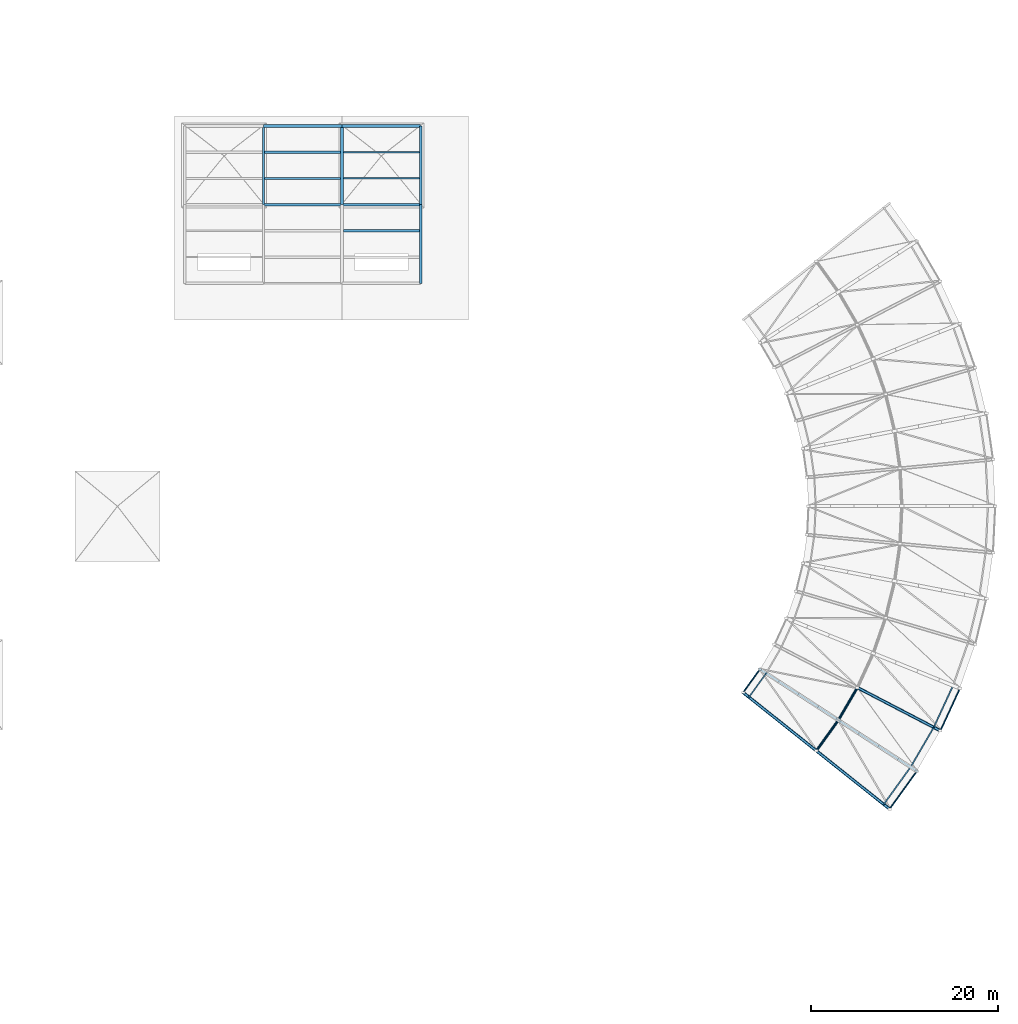
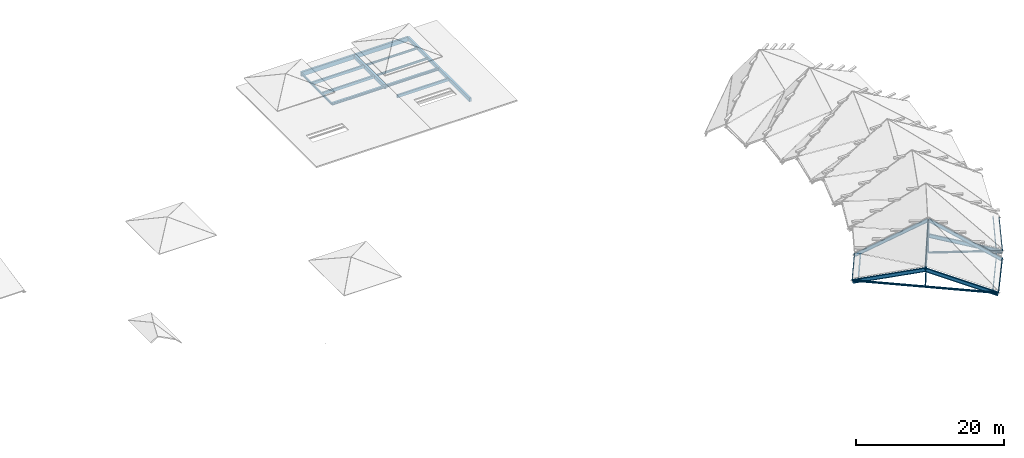
# One storey, part 2 of 10: 18 beams, 14 members.
"""IFC4 building model written with IfcOpenShell, lengths in metres."""

from ifc_helpers import new_model, si_unit, direction, frame, origin, origin_2d, place, context, subcontext, project, spatial, rectangle, hollow_circle, i_section, extrude, material, material_profile, profile_set, type_object, element, save


model = new_model("IFC4")

# Units and contexts
model_context = context("Model", 3, precision=1e-05, world=origin(), true_north=direction((0.0, 1.0)))
body_context = subcontext(model_context, "Body", "Model", "MODEL_VIEW")
ifc_project = project(units=[si_unit("LENGTHUNIT", "METRE"), si_unit("AREAUNIT", "SQUARE_METRE"), si_unit("VOLUMEUNIT", "CUBIC_METRE"), si_unit("PLANEANGLEUNIT", "RADIAN"), si_unit("MASSUNIT", "GRAM", prefix="KILO")], contexts=[model_context])

# Site, building, storey
site_placement = place(None, origin())
site = spatial("IfcSite", under=ifc_project, at=site_placement, CompositionType="ELEMENT")
building_placement = place(site_placement, origin())
building = spatial("IfcBuilding", under=site, at=building_placement, Name="Vanh Quang Courtyard School", CompositionType="ELEMENT")
storey_placement = place(building_placement, frame((0.0, 0.0, 25.800048828125)))
storey = spatial("IfcBuildingStorey", under=building, at=storey_placement, Name="ROOF", CompositionType="ELEMENT", Elevation=25.800048828125)

# Beams
ifc_material_1 = material(Name="Concrete C35/45", Category="concrete")
ifc_material_profile_1 = material_profile(ifc_material_1, rectangle(XDim=0.300048828125, YDim=0.60009765625, at=origin_2d()), Name="RC-BM 300x600")
ifc_profile_set_1 = profile_set([ifc_material_profile_1], Name="Concrete C35/45")
beam_type_1 = type_object("IfcBeamType", Name="BM-RC-300x600", PredefinedType="BEAM", material=ifc_profile_set_1)
beam_1_placement = place(storey_placement, frame((102.60009765625, 79.800048828125, -0.52001953125), z_axis=(0.0, 1.0, 0.0), x_axis=(-1.0, 0.0, 0.0)))
element("IfcBeam", 1, at=beam_1_placement, inside=storey, type_object=beam_type_1, Name="Beam B-06 (ROOF)", PredefinedType="BEAM", context=body_context, shape_type="SweptSolid", body=[
    extrude(rectangle(XDim=0.300048828125, YDim=0.60009765625, at=origin_2d()), origin(), (0.0, 0.0, 1.0), 8.39990234375),
])
beam_2_placement = place(storey_placement, frame((102.60009765625, 88.199951171875, -0.52001953125), z_axis=(0.0, 1.0, 0.0), x_axis=(-1.0, 0.0, 0.0)))
element("IfcBeam", 2, at=beam_2_placement, inside=storey, type_object=beam_type_1, Name="Beam B-06 (ROOF)", PredefinedType="BEAM", context=body_context, shape_type="SweptSolid", body=[
    extrude(rectangle(XDim=0.300048828125, YDim=0.60009765625, at=origin_2d()), origin(), (0.0, 0.0, 1.0), 8.400146484375),
])
ifc_material_profile_2 = material_profile(ifc_material_1, rectangle(XDim=0.35009765625, YDim=0.64990234375, at=origin_2d()), Name="RC-BM 350x650")
ifc_profile_set_2 = profile_set([ifc_material_profile_2], Name="Concrete C35/45")
beam_type_2 = type_object("IfcBeamType", Name="BM-RC-350x650", PredefinedType="BEAM", material=ifc_profile_set_2)
beam_3_placement = place(storey_placement, frame((94.199951171875, 88.199951171875, -0.545166015625), z_axis=(0.0, 1.0, 0.0), x_axis=(-1.0, 0.0, 0.0)))
element("IfcBeam", 3, at=beam_3_placement, inside=storey, type_object=beam_type_2, Name="Beam B-05 (ROOF)", PredefinedType="BEAM", context=body_context, shape_type="SweptSolid", body=[
    extrude(rectangle(XDim=0.35009765625, YDim=0.64990234375, at=origin_2d()), origin(), (0.0, 0.0, 1.0), 8.400146484375),
])
ifc_material_profile_3 = material_profile(ifc_material_1, rectangle(XDim=0.300048828125, YDim=0.699951171875, at=origin_2d()), Name="RC-SP 300x700")
ifc_profile_set_3 = profile_set([ifc_material_profile_3], Name="Concrete C35/45")
beam_type_3 = type_object("IfcBeamType", Name="BM-SP-300x700", PredefinedType="SPANDREL", material=ifc_profile_set_3)
beam_4_placement = place(storey_placement, frame((85.800048828125, 96.60009765625, -0.570068359375), z_axis=(1.0, 0.0, 0.0), x_axis=(0.0, 1.0, 0.0)))
element("IfcBeam", 4, at=beam_4_placement, inside=storey, type_object=beam_type_3, Name="Beam BS-01 (ROOF)", PredefinedType="SPANDREL", context=body_context, shape_type="SweptSolid", body=[
    extrude(rectangle(XDim=0.300048828125, YDim=0.699951171875, at=origin_2d()), origin(), (0.0, 0.0, 1.0), 8.39990234375),
])
beam_5_placement = place(storey_placement, frame((94.199951171875, 96.60009765625, -0.570068359375), z_axis=(1.0, 0.0, 0.0), x_axis=(0.0, 1.0, 0.0)))
element("IfcBeam", 5, at=beam_5_placement, inside=storey, type_object=beam_type_3, Name="Beam BS-01 (ROOF)", PredefinedType="SPANDREL", context=body_context, shape_type="SweptSolid", body=[
    extrude(rectangle(XDim=0.300048828125, YDim=0.699951171875, at=origin_2d()), origin(), (0.0, 0.0, 1.0), 8.400146484375),
])
ifc_material_2 = material(Name="Structural steel EN 10025-2 S355J2", Category="steel")
ifc_material_profile_4 = material_profile(ifc_material_2, i_section(OverallWidth=0.300048828125, OverallDepth=0.389892578125, WebThickness=0.010986328125, FlangeThickness=0.01904296875, FilletRadius=0.027099609375, at=origin_2d()), Name="HEA 400")
ifc_profile_set_4 = profile_set([ifc_material_profile_4], Name="Structural steel EN 10025-2 S355J2")
beam_type_4 = type_object("IfcBeamType", Name="BM-STL-HEA400", PredefinedType="BEAM", material=ifc_profile_set_4)
beam_6_placement = place(storey_placement, frame((85.800048828125, 88.199951171875, -0.4150390625), z_axis=(1.0, 0.0, 0.0), x_axis=(0.0, 1.0, 0.0)))
element("IfcBeam", 6, at=beam_6_placement, inside=storey, type_object=beam_type_4, Name="Beam SB-08 (ROOF)", PredefinedType="BEAM", context=body_context, shape_type="SweptSolid", body=[
    extrude(i_section(OverallWidth=0.300048828125, OverallDepth=0.389892578125, WebThickness=0.010986328125, FlangeThickness=0.01904296875, FilletRadius=0.027099609375, at=origin_2d()), origin(), (0.0, 0.0, 1.0), 8.39990234375),
])
beam_7_placement = place(storey_placement, frame((94.199951171875, 88.199951171875, -0.4150390625), z_axis=(1.0, 0.0, 0.0), x_axis=(0.0, 1.0, 0.0)))
element("IfcBeam", 7, at=beam_7_placement, inside=storey, type_object=beam_type_4, Name="Beam SB-08 (ROOF)", PredefinedType="BEAM", context=body_context, shape_type="SweptSolid", body=[
    extrude(i_section(OverallWidth=0.300048828125, OverallDepth=0.389892578125, WebThickness=0.010986328125, FlangeThickness=0.01904296875, FilletRadius=0.027099609375, at=origin_2d()), origin(), (0.0, 0.0, 1.0), 8.400146484375),
])
ifc_material_profile_5 = material_profile(ifc_material_2, i_section(OverallWidth=0.169921875, OverallDepth=0.360107421875, WebThickness=0.008056640625, FlangeThickness=0.0126953125, FilletRadius=0.01806640625, at=origin_2d()), Name="IPE 360")
ifc_profile_set_5 = profile_set([ifc_material_profile_5], Name="Structural steel EN 10025-2 S355J2")
beam_type_5 = type_object("IfcBeamType", Name="BM-STL-IPE360", PredefinedType="BEAM", material=ifc_profile_set_5)
beam_8_placement = place(storey_placement, frame((85.800048828125, 88.199951171875, -0.400146484375), z_axis=(0.0, 1.0, 0.0), x_axis=(-1.0, 0.0, 0.0)))
element("IfcBeam", 8, at=beam_8_placement, inside=storey, type_object=beam_type_5, Name="Beam SB-06 (ROOF)", PredefinedType="BEAM", context=body_context, shape_type="SweptSolid", body=[
    extrude(i_section(OverallWidth=0.169921875, OverallDepth=0.360107421875, WebThickness=0.008056640625, FlangeThickness=0.0126953125, FilletRadius=0.01806640625, at=origin_2d()), origin(), (0.0, 0.0, 1.0), 8.400146484375),
])
ifc_material_profile_6 = material_profile(ifc_material_2, i_section(OverallWidth=0.199951171875, OverallDepth=0.5, WebThickness=0.01025390625, FlangeThickness=0.01611328125, FilletRadius=0.02099609375, at=origin_2d()), Name="IPE 500")
ifc_profile_set_6 = profile_set([ifc_material_profile_6], Name="Structural steel EN 10025-2 S355J2")
beam_type_6 = type_object("IfcBeamType", Name="BM-STL-IPE500", PredefinedType="BEAM", material=ifc_profile_set_6)
for number, where, z_axis, x_axis, name in (
    (9, (138.83740234375, 38.571533203125, -13.880126953125), (0.712785525057, -0.462879002474, 0.526953341708), (0.544631313678, 0.838675582189, 0.0), "Beam SB-03 (ROOF)"),
    (10, (147.22412109375, 33.125244140625, -7.679931640625), (0.712778679061, -0.462895305984, -0.526948280549), (0.544648485695, 0.838664430526, 0.0), "Beam SB-03 (ROOF)"),
):
    element("IfcBeam", number, at=place(storey_placement, frame(where, z_axis=z_axis, x_axis=x_axis)), inside=storey, type_object=beam_type_6, Name=name, PredefinedType="BEAM", context=body_context, shape_type="SweptSolid", body=[
        extrude(i_section(OverallWidth=0.199951171875, OverallDepth=0.5, WebThickness=0.01025390625, FlangeThickness=0.01611328125, FilletRadius=0.02099609375, at=origin_2d()), origin(), (0.0, 0.0, 1.0), 11.76611328125),
    ])
ifc_material_profile_7 = material_profile(ifc_material_2, i_section(OverallWidth=0.219970703125, OverallDepth=0.60009765625, WebThickness=0.011962890625, FlangeThickness=0.01904296875, FilletRadius=0.02392578125, at=origin_2d()), Name="IPE 600")
ifc_profile_set_7 = profile_set([ifc_material_profile_7], Name="Structural steel EN 10025-2 S355J2")
beam_type_7 = type_object("IfcBeamType", Name="BM-STL-IPE600", PredefinedType="BEAM", material=ifc_profile_set_7)
beam_9_placement = place(storey_placement, frame((137.04345703125, 36.07958984375, -16.080078125), z_axis=(0.749598293723, -0.596264460875, 0.287351858782), x_axis=(0.622519147889, 0.78260456842, 0.0)))
element("IfcBeam", 11, at=beam_9_placement, inside=storey, type_object=beam_type_7, Name="Beam SB-01 (ROOF)", PredefinedType="BEAM", context=body_context, shape_type="SweptSolid", body=[
    extrude(i_section(OverallWidth=0.219970703125, OverallDepth=0.60009765625, WebThickness=0.011962890625, FlangeThickness=0.01904296875, FilletRadius=0.02392578125, at=origin_2d()), origin(), (0.0, 0.0, 1.0), 10.440185546875),
])
for number, where, z_axis, x_axis, name in (
    (12, (144.869384765625, 29.8544921875, -13.080078125), (0.749598086585, -0.596269079418, -0.287342815322), (0.622522206506, 0.782602135447, 0.0), "Beam SB-01 (ROOF)"),
    (13, (149.25439453125, 36.606689453125, -13.080078125), (0.849595701532, -0.442289251866, -0.287345369934), (0.461763171677, 0.887003254381, 0.0), "Beam SB-01 (ROOF)"),
):
    element("IfcBeam", number, at=place(storey_placement, frame(where, z_axis=z_axis, x_axis=x_axis)), inside=storey, type_object=beam_type_7, Name=name, PredefinedType="BEAM", context=body_context, shape_type="SweptSolid", body=[
        extrude(i_section(OverallWidth=0.219970703125, OverallDepth=0.60009765625, WebThickness=0.011962890625, FlangeThickness=0.01904296875, FilletRadius=0.02392578125, at=origin_2d()), origin(), (0.0, 0.0, 1.0), 10.4404296875),
    ])
ifc_material_3 = material(Name="Concrete C30/37", Category="concrete")
ifc_material_profile_8 = material_profile(ifc_material_3, rectangle(XDim=0.25, YDim=0.449951171875, at=origin_2d()), Name="RC-JST 250x450")
ifc_profile_set_8 = profile_set([ifc_material_profile_8], Name="Concrete C30/37")
beam_type_8 = type_object("IfcBeamType", Name="JST-RC-250x450", PredefinedType="JOIST", material=ifc_profile_set_8)
for number, where, z_axis, x_axis, name in (
    (14, (85.885009765625, 91.0, -0.445068359375), (1.0, 0.0, 0.0), (0.0, 1.0, 0.0), "Beam BJ-02 (ROOF)"),
    (15, (85.885009765625, 93.800048828125, -0.445068359375), (1.0, 0.0, 0.0), (0.0, 1.0, 0.0), "Beam BJ-02 (ROOF)"),
):
    element("IfcBeam", number, at=place(storey_placement, frame(where, z_axis=z_axis, x_axis=x_axis)), inside=storey, type_object=beam_type_8, Name=name, PredefinedType="JOIST", context=body_context, shape_type="SweptSolid", body=[
        extrude(rectangle(XDim=0.25, YDim=0.449951171875, at=origin_2d()), origin(), (0.0, 0.0, 1.0), 8.139892578125),
    ])
beam_10_placement = place(storey_placement, frame((94.375, 85.39990234375, -0.445068359375), z_axis=(1.0, 0.0, 0.0), x_axis=(0.0, 1.0, 0.0)))
element("IfcBeam", 16, at=beam_10_placement, inside=storey, type_object=beam_type_8, Name="Beam BJ-02 (ROOF)", PredefinedType="JOIST", context=body_context, shape_type="SweptSolid", body=[
    extrude(rectangle(XDim=0.25, YDim=0.449951171875, at=origin_2d()), origin(), (0.0, 0.0, 1.0), 8.074951171875),
])
ifc_material_profile_9 = material_profile(ifc_material_2, i_section(OverallWidth=0.159912109375, OverallDepth=0.330078125, WebThickness=0.007568359375, FlangeThickness=0.011474609375, FilletRadius=0.01806640625, at=origin_2d()), Name="IPE 330")
ifc_profile_set_9 = profile_set([ifc_material_profile_9], Name="Structural steel EN 10025-2 S355J2")
beam_type_9 = type_object("IfcBeamType", Name="JST-STL-IPE330", PredefinedType="JOIST", material=ifc_profile_set_9)
for number, where, z_axis, x_axis, name in (
    (17, (94.375, 91.0, -0.385009765625), (1.0, 0.0, 0.0), (0.0, 1.0, 0.0), "Beam SJ-01 (ROOF)"),
    (18, (94.375, 93.800048828125, -0.385009765625), (1.0, 0.0, 0.0), (0.0, 1.0, 0.0), "Beam SJ-01 (ROOF)"),
):
    element("IfcBeam", number, at=place(storey_placement, frame(where, z_axis=z_axis, x_axis=x_axis)), inside=storey, type_object=beam_type_9, Name=name, PredefinedType="JOIST", context=body_context, shape_type="SweptSolid", body=[
        extrude(i_section(OverallWidth=0.159912109375, OverallDepth=0.330078125, WebThickness=0.007568359375, FlangeThickness=0.011474609375, FilletRadius=0.01806640625, at=origin_2d()), origin(), (0.0, 0.0, 1.0), 8.074951171875),
    ])

# Members
ifc_material_profile_10 = material_profile(ifc_material_2, hollow_circle(Radius=0.084228515625, WallThickness=0.008056640625, at=origin_2d()), Name="CHS 168.3x8")
ifc_profile_set_10 = profile_set([ifc_material_profile_10], Name="Structural steel EN 10025-2 S355J2")
member_type_1 = type_object("IfcMemberType", Name="MEM-BRC-CHS168", PredefinedType="BRACE", material=ifc_profile_set_10)
member_1_placement = place(storey_placement, frame((137.04345703125, 36.07958984375, -15.900146484375), z_axis=(0.488096428357, 0.678007654361, 0.549606675045), x_axis=(-0.811573550759, 0.58425026462, 0.0)))
element("IfcMember", 19, at=member_1_placement, inside=storey, type_object=member_type_1, Name="Structural Member MB-02 (ROOF)", PredefinedType="BRACE", context=body_context, shape_type="SweptSolid", body=[
    extrude(hollow_circle(Radius=0.084228515625, WallThickness=0.008056640625, at=origin_2d()), origin(), (0.0, 0.0, 1.0), 3.67529296875),
])
member_2_placement = place(storey_placement, frame((152.695556640625, 23.629150390625, -15.900146484375), z_axis=(0.541557195608, 0.752266075166, 0.375248658945), x_axis=(-0.811572389285, 0.584251878004, 0.0)))
element("IfcMember", 20, at=member_2_placement, inside=storey, type_object=member_type_1, Name="Structural Member MB-02 (ROOF)", PredefinedType="BRACE", context=body_context, shape_type="SweptSolid", body=[
    extrude(hollow_circle(Radius=0.084228515625, WallThickness=0.008056640625, at=origin_2d()), origin(), (0.0, 0.0, 1.0), 5.383056640625),
])
member_3_placement = place(storey_placement, frame((158.12451171875, 31.989013671875, -15.900146484375), z_axis=(0.388076734464, 0.841777757202, 0.375242129362), x_axis=(-0.908138303726, 0.418670301438, 0.0)))
element("IfcMember", 21, at=member_3_placement, inside=storey, type_object=member_type_1, Name="Structural Member MB-02 (ROOF)", PredefinedType="BRACE", context=body_context, shape_type="SweptSolid", body=[
    extrude(hollow_circle(Radius=0.084228515625, WallThickness=0.008056640625, at=origin_2d()), origin(), (0.0, 0.0, 1.0), 5.38330078125),
])
ifc_material_profile_11 = material_profile(ifc_material_2, hollow_circle(Radius=0.096923828125, WallThickness=0.010009765625, at=origin_2d()), Name="CHS 193.7x10")
ifc_profile_set_11 = profile_set([ifc_material_profile_11], Name="Structural steel EN 10025-2 S355J2")
member_type_2 = type_object("IfcMemberType", Name="MEM-BRC-CHS193", PredefinedType="BRACE", material=ifc_profile_set_11)
for number, where, z_axis, x_axis, name in (
    (22, (144.869384765625, 29.8544921875, -15.900146484375), (0.25720690156, 0.357262919668, 0.897890759514), (-0.811558469677, 0.584271212961, 0.0), "Structural Member MB-01 (ROOF)"),
    (23, (149.25439453125, 36.606689453125, -15.900146484375), (-0.221766122328, -0.38027716503, 0.897891454879), (0.863840413954, -0.503765559779, 0.0), "Structural Member MB-01 (ROOF)"),
):
    element("IfcMember", number, at=place(storey_placement, frame(where, z_axis=z_axis, x_axis=x_axis)), inside=storey, type_object=member_type_2, Name=name, PredefinedType="BRACE", context=body_context, shape_type="SweptSolid", body=[
        extrude(hollow_circle(Radius=0.096923828125, WallThickness=0.010009765625, at=origin_2d()), origin(), (0.0, 0.0, 1.0), 9.155029296875),
    ])
ifc_material_profile_12 = material_profile(ifc_material_2, hollow_circle(Radius=0.136474609375, WallThickness=0.012451171875, at=origin_2d()), Name="CHS 273x12.5")
ifc_profile_set_12 = profile_set([ifc_material_profile_12], Name="Structural steel EN 10025-2 S355J2")
member_type_3 = type_object("IfcMemberType", Name="MEM-CHD-CHS273", PredefinedType="CHORD", material=ifc_profile_set_12)
for number, where, z_axis, x_axis, name in (
    (24, (144.869384765625, 29.8544921875, -13.080078125), (0.349457486263, 0.485399890457, 0.801415255432), (-0.811558469677, 0.584271212961, 0.0), "Structural Member MC-02 (ROOF)"),
    (25, (147.22412109375, 33.125244140625, -7.679931640625), (0.301305610191, 0.516668831327, -0.801416401131), (-0.863840413954, 0.503765559779, 0.0), "Structural Member MC-02 (ROOF)"),
):
    element("IfcMember", number, at=place(storey_placement, frame(where, z_axis=z_axis, x_axis=x_axis)), inside=storey, type_object=member_type_3, Name=name, PredefinedType="CHORD", context=body_context, shape_type="SweptSolid", body=[
        extrude(hollow_circle(Radius=0.136474609375, WallThickness=0.012451171875, at=origin_2d()), origin(), (0.0, 0.0, 1.0), 6.73828125),
    ])
ifc_material_profile_13 = material_profile(ifc_material_2, hollow_circle(Radius=0.161865234375, WallThickness=0.012451171875, at=origin_2d()), Name="CHS 323.9x12.5")
ifc_profile_set_13 = profile_set([ifc_material_profile_13], Name="Structural steel EN 10025-2 S355J2")
member_type_4 = type_object("IfcMemberType", Name="MEM-CHD-CHS323", PredefinedType="CHORD", material=ifc_profile_set_13)
member_4_placement = place(storey_placement, frame((137.04345703125, 36.07958984375, -15.900146484375), z_axis=(0.78260456842, -0.622519147889, 0.0), x_axis=(0.622519147889, 0.78260456842, 0.0)))
element("IfcMember", 26, at=member_4_placement, inside=storey, type_object=member_type_4, Name="Structural Member MC-01 (ROOF)", PredefinedType="CHORD", context=body_context, shape_type="SweptSolid", body=[
    extrude(hollow_circle(Radius=0.161865234375, WallThickness=0.012451171875, at=origin_2d()), origin(), (0.0, 0.0, 1.0), 9.999755859375),
])
member_5_placement = place(storey_placement, frame((144.869384765625, 29.8544921875, -15.900146484375), z_axis=(0.782602135447, -0.622522206506, 0.0), x_axis=(0.622522206506, 0.782602135447, 0.0)))
element("IfcMember", 27, at=member_5_placement, inside=storey, type_object=member_type_4, Name="Structural Member MC-01 (ROOF)", PredefinedType="CHORD", context=body_context, shape_type="SweptSolid", body=[
    extrude(hollow_circle(Radius=0.161865234375, WallThickness=0.012451171875, at=origin_2d()), origin(), (0.0, 0.0, 1.0), 10.000244140625),
])
member_6_placement = place(storey_placement, frame((149.25439453125, 36.606689453125, -15.900146484375), z_axis=(0.887003254381, -0.461763171677, 0.0), x_axis=(0.461763171677, 0.887003254381, 0.0)))
element("IfcMember", 28, at=member_6_placement, inside=storey, type_object=member_type_4, Name="Structural Member MC-01 (ROOF)", PredefinedType="CHORD", context=body_context, shape_type="SweptSolid", body=[
    extrude(hollow_circle(Radius=0.161865234375, WallThickness=0.012451171875, at=origin_2d()), origin(), (0.0, 0.0, 1.0), 10.0),
])
ifc_material_profile_14 = material_profile(ifc_material_2, i_section(OverallWidth=0.1201171875, OverallDepth=0.239990234375, WebThickness=0.006103515625, FlangeThickness=0.009765625, FilletRadius=0.014892578125, at=origin_2d()), Name="IPE 240")
ifc_profile_set_14 = profile_set([ifc_material_profile_14], Name="Structural steel EN 10025-2 S355J2")
member_type_5 = type_object("IfcMemberType", Name="MEM-PRL-IPE240", PredefinedType="PURLIN", material=ifc_profile_set_14)
member_7_placement = place(storey_placement, frame((137.669677734375, 35.58154296875, -16.080078125), z_axis=(0.459130084355, 0.6378805036, 0.618310624822), x_axis=(-0.811621139632, 0.58418415393, 0.0)))
element("IfcMember", 29, at=member_7_placement, inside=storey, type_object=member_type_5, Name="Structural Member MP-01 (ROOF)", PredefinedType="PURLIN", context=body_context, shape_type="SweptSolid", body=[
    extrude(i_section(OverallWidth=0.1201171875, OverallDepth=0.239990234375, WebThickness=0.006103515625, FlangeThickness=0.009765625, FilletRadius=0.014892578125, at=origin_2d()), origin(), (0.0, 0.0, 1.0), 4.004638671875),
])
ifc_material_profile_15 = material_profile(ifc_material_2, i_section(OverallWidth=0.135009765625, OverallDepth=0.27001953125, WebThickness=0.006591796875, FlangeThickness=0.01025390625, FilletRadius=0.014892578125, at=origin_2d()), Name="IPE 270")
ifc_profile_set_15 = profile_set([ifc_material_profile_15], Name="Structural steel EN 10025-2 S355J2")
member_type_6 = type_object("IfcMemberType", Name="MEM-PRL-IPE270", PredefinedType="PURLIN", material=ifc_profile_set_15)
for number, where, z_axis, x_axis, name in (
    (30, (152.069580078125, 24.127197265625, -16.080078125), (0.521724225665, 0.724742711029, 0.450057590941), (-0.811582408218, 0.584237960655, 0.0), "Structural Member MP-02 (ROOF)"),
    (31, (154.93994140625, 28.114501953125, -13.60400390625), (0.449886086118, 0.771391776977, -0.450063590985), (-0.863823956414, 0.503793779562, 0.0), "Structural Member MP-02 (ROOF)"),
    (32, (157.4150390625, 32.3583984375, -16.080078125), (0.373814864145, 0.81099720526, 0.450051086438), (-0.908168704182, 0.418604353471, 0.0), "Structural Member MP-02 (ROOF)"),
):
    element("IfcMember", number, at=place(storey_placement, frame(where, z_axis=z_axis, x_axis=x_axis)), inside=storey, type_object=member_type_6, Name=name, PredefinedType="PURLIN", context=body_context, shape_type="SweptSolid", body=[
        extrude(i_section(OverallWidth=0.135009765625, OverallDepth=0.27001953125, WebThickness=0.006591796875, FlangeThickness=0.01025390625, FilletRadius=0.014892578125, at=origin_2d()), origin(), (0.0, 0.0, 1.0), 5.501708984375),
    ])

save(model, "model.ifc")
